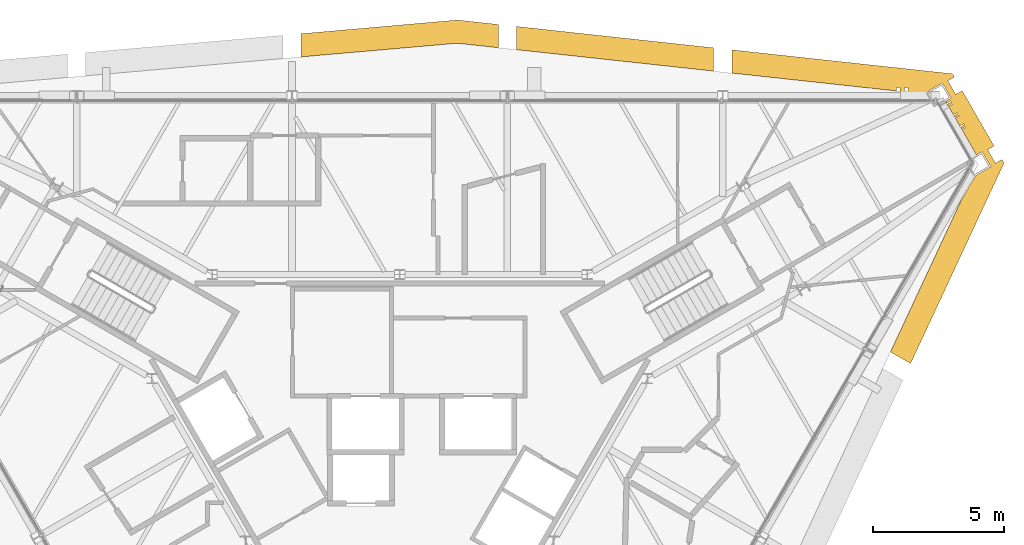
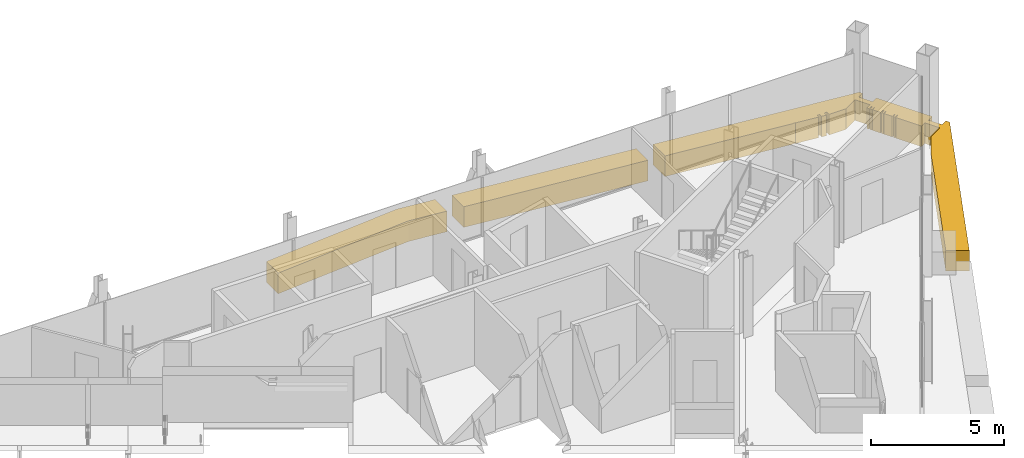
# One storey, part 13 of 13: 3 coverings.
"""IFC4 building model written with IfcOpenShell, lengths in metres."""

from ifc_helpers import new_model, si_unit, direction, frame, origin, place, context, subcontext, project, spatial, polyline, outline, extrude, material, layer, layer_set, type_object, element, save


model = new_model("IFC4")

# Units and contexts
model_context = context("Model", 3, precision=1e-05, world=origin(), true_north=direction((0.0, 1.0)))
body_context = subcontext(model_context, "Body", "Model", "MODEL_VIEW")
ifc_project = project(units=[si_unit("LENGTHUNIT", "METRE"), si_unit("AREAUNIT", "SQUARE_METRE"), si_unit("VOLUMEUNIT", "CUBIC_METRE"), si_unit("PLANEANGLEUNIT", "RADIAN"), si_unit("MASSUNIT", "GRAM", prefix="KILO")], contexts=[model_context])

# Site, building, storey
site_placement = place(None, origin())
site = spatial("IfcSite", under=ifc_project, at=site_placement, CompositionType="ELEMENT")
building_placement = place(site_placement, origin())
building = spatial("IfcBuilding", under=site, at=building_placement, Name="Verrane Prism Tower", CompositionType="ELEMENT")
storey_placement = place(building_placement, frame((0.0, 0.0, 282.5)))
storey = spatial("IfcBuildingStorey", under=building, at=storey_placement, Name="L71", CompositionType="ELEMENT", Elevation=282.5)

# Coverings
ifc_material = material(Name="Warm limestone cladding", Category="masonry")
ifc_layer = layer(ifc_material, 0.449951171875)
ifc_layer_set = layer_set([ifc_layer], Name="Stone spandrel band 450")
covering_type = type_object("IfcCoveringType", Name="Stone spandrel band 450", PredefinedType="CLADDING", material=ifc_layer_set)
covering_1_placement = place(storey_placement, frame((0.0, 0.0, -0.949951171875)))
element("IfcCovering", 1, at=covering_1_placement, inside=storey, type_object=covering_type, Name="Stone spandrel band L71 part 3", PredefinedType="CLADDING", context=body_context, shape_type="SweptSolid", body=[
    extrude(outline(polyline([(12.712646484375, 14.507568359375), (17.94677734375, 13.938720703125), (17.94677734375, 13.949951171875), (18.064453125, 13.949951171875), (18.064453125, 13.926025390625), (19.010986328125, 13.8232421875), (19.010986328125, 13.949951171875), (19.13330078125, 13.949951171875), (19.13330078125, 13.809814453125), (19.3203125, 13.78955078125), (19.3203125, 13.949951171875), (19.437744140625, 13.949951171875), (19.437744140625, 13.783447265625), (20.1708984375, 13.783447265625), (20.76416015625, 14.125732421875), (21.093994140625, 13.55419921875), (20.8837890625, 13.432861328125), (20.92822265625, 13.35595703125), (21.0693359375, 13.4375), (21.0927734375, 13.39697265625), (20.95166015625, 13.315185546875), (20.9921875, 13.2451171875), (21.13330078125, 13.32666015625), (21.148193359375, 13.30126953125), (21.007080078125, 13.219482421875), (21.181396484375, 12.91748046875), (21.32275390625, 12.9990234375), (21.34619140625, 12.95849609375), (21.204833984375, 12.876953125), (21.245361328125, 12.806640625), (21.38671875, 12.888427734375), (21.4013671875, 12.86279296875), (21.260009765625, 12.78125), (21.4345703125, 12.47900390625), (21.575927734375, 12.560791015625), (21.599365234375, 12.520263671875), (21.4580078125, 12.4384765625), (21.49853515625, 12.3681640625), (21.639892578125, 12.449951171875), (21.65478515625, 12.424560546875), (21.51318359375, 12.3427734375), (22.07275390625, 11.373779296875), (22.2841796875, 11.495849609375), (22.614013671875, 10.92431640625), (22.027099609375, 10.585205078125), (21.478759765625, 9.6357421875), (18.777099609375, 3.83837890625), (19.54638671875, 3.394287109375), (23.1201171875, 11.0625), (23.039794921875, 11.20166015625), (22.793212890625, 11.05908203125), (22.4931640625, 11.578857421875), (22.73974609375, 11.72119140625), (21.520751953125, 13.83251953125), (21.274169921875, 13.690185546875), (20.97412109375, 14.209716796875), (21.220703125, 14.352294921875), (21.146240234375, 14.481201171875), (12.712646484375, 15.3974609375), (12.712646484375, 14.507568359375)])), origin(), (0.0, 0.0, 1.0), 0.949951171875),
])
covering_2_placement = place(storey_placement, frame((0.0, 0.0, -0.949951171875)))
element("IfcCovering", 2, at=covering_2_placement, inside=storey, type_object=covering_type, Name="Stone spandrel band L71 part 10", PredefinedType="CLADDING", context=body_context, shape_type="SweptSolid", body=[
    extrude(outline(polyline([(4.470947265625, 15.403076171875), (12.0126953125, 14.58349609375), (12.0126953125, 15.4736328125), (4.470947265625, 16.29296875), (4.470947265625, 15.403076171875)])), origin(), (0.0, 0.0, 1.0), 0.949951171875),
])
covering_3_placement = place(storey_placement, frame((0.0, 0.0, -0.949951171875)))
element("IfcCovering", 3, at=covering_3_placement, inside=storey, type_object=covering_type, Name="Stone spandrel band L71 part 11", PredefinedType="CLADDING", context=body_context, shape_type="SweptSolid", body=[
    extrude(outline(polyline([(-3.77099609375, 15.12646484375), (2.19775390625, 15.64990234375), (3.77099609375, 15.47900390625), (3.77099609375, 16.369140625), (2.20703125, 16.5390625), (-3.77099609375, 16.0146484375), (-3.77099609375, 15.12646484375)])), origin(), (0.0, 0.0, 1.0), 0.949951171875),
])

save(model, "model.ifc")
